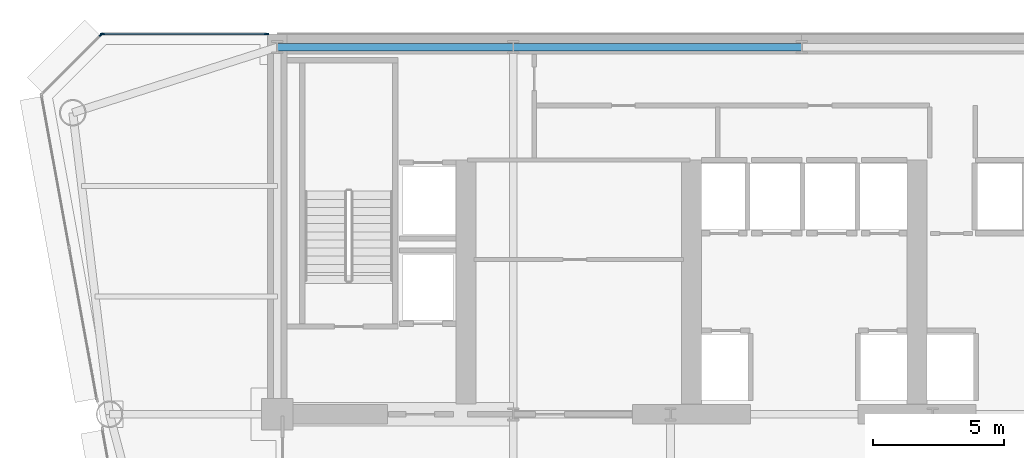
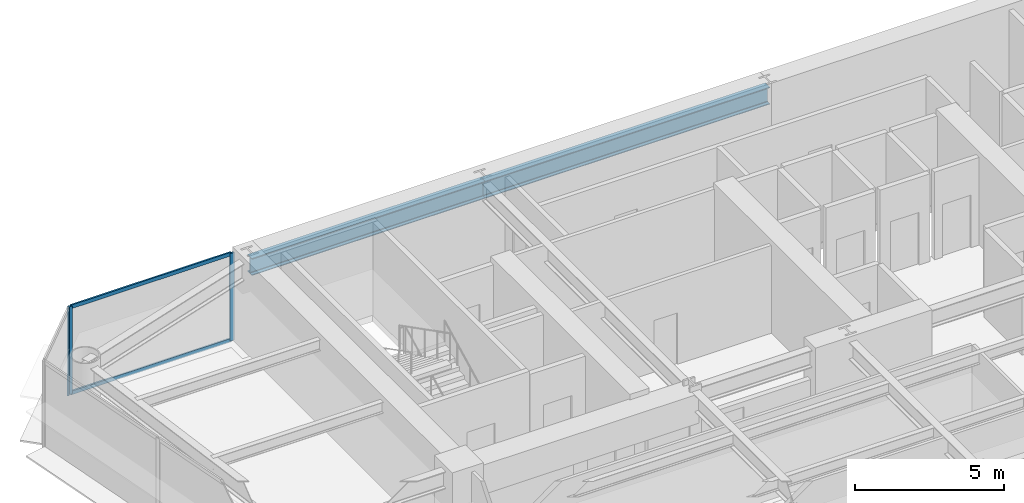
# One storey, part 8 of 17: 5 members, 2 beams, 2 elements without a shape of their own.
"""IFC4 building model written with IfcOpenShell, lengths in metres."""

from ifc_helpers import new_model, si_unit, direction, frame, origin, origin_2d, place, context, subcontext, project, spatial, rectangle, i_section, extrude, source, transform, mapped, material, layer, layer_set, material_profile, profile_set, type_object, element, aggregate, save


model = new_model("IFC4")

# Units and contexts
model_context = context("Model", 3, precision=1e-05, world=origin(), true_north=direction((0.0, 1.0)))
body_context = subcontext(model_context, "Body", "Model", "MODEL_VIEW")
ifc_project = project(units=[si_unit("LENGTHUNIT", "METRE"), si_unit("AREAUNIT", "SQUARE_METRE"), si_unit("VOLUMEUNIT", "CUBIC_METRE"), si_unit("PLANEANGLEUNIT", "RADIAN"), si_unit("MASSUNIT", "GRAM", prefix="KILO")], contexts=[model_context])

# Site, building, storey
site_placement = place(None, origin())
site = spatial("IfcSite", under=ifc_project, at=site_placement, CompositionType="ELEMENT")
building_placement = place(site_placement, origin())
building = spatial("IfcBuilding", under=site, at=building_placement, Name="Vaeldorn Concourse Tower", CompositionType="ELEMENT")
storey_placement = place(building_placement, frame((0.0, 0.0, 153.800048828125)))
storey = spatial("IfcBuildingStorey", under=building, at=storey_placement, Name="L39", CompositionType="ELEMENT", Elevation=153.800048828125)

# Beams
ifc_material_1 = material(Name="Steel S355", Category="steel")
ifc_material_profile_1 = material_profile(ifc_material_1, i_section(OverallWidth=0.300048828125, OverallDepth=0.699951171875, WebThickness=0.01708984375, FlangeThickness=0.031982421875, FilletRadius=0.027099609375, at=origin_2d()), Name="HEB 700")
ifc_profile_set_1 = profile_set([ifc_material_profile_1], Name="Steel S355")
beam_type = type_object("IfcBeamType", Name="BM-PG-HEB700", PredefinedType="BEAM", material=ifc_profile_set_1)
shared_shape_1 = source(origin(), body_context, "Body", "SweptSolid", [
    extrude(i_section(OverallWidth=0.300048828125, OverallDepth=0.699951171875, WebThickness=0.01708984375, FlangeThickness=0.031982421875, FilletRadius=0.027099609375, at=origin_2d()), origin(), (0.0, 0.0, 1.0), 9.0),
])
beam_1_placement = place(storey_placement, frame((14.0, 50.5, 3.22998046875), z_axis=(1.0, 0.0, 0.0), x_axis=(0.0, 1.0, 0.0)))
element("IfcBeam", 1, at=beam_1_placement, inside=storey, type_object=beam_type, Name="Beam BM-L39-C-HC1-C-HC2", PredefinedType="BEAM", context=body_context, shape_type="MappedRepresentation", body=[
    mapped(shared_shape_1, transform((0.0, 0.0, 0.0), scale=1.0)),
])
shared_shape_2 = source(origin(), body_context, "Body", "SweptSolid", [
    extrude(i_section(OverallWidth=0.300048828125, OverallDepth=0.699951171875, WebThickness=0.01708984375, FlangeThickness=0.031982421875, FilletRadius=0.027099609375, at=origin_2d()), origin(), (0.0, 0.0, 1.0), 11.0),
])
beam_2_placement = place(storey_placement, frame((23.0, 50.5, 3.22998046875), z_axis=(1.0, 0.0, 0.0), x_axis=(0.0, 1.0, 0.0)))
element("IfcBeam", 2, at=beam_2_placement, inside=storey, type_object=beam_type, Name="Beam BM-L39-C-HC2-C-HC3", PredefinedType="BEAM", context=body_context, shape_type="MappedRepresentation", body=[
    mapped(shared_shape_2, transform((0.0, 0.0, 0.0), scale=1.0)),
])

# Curtain wall, members
ifc_material_2 = material(Name="Anodised Bronze Aluminium", Category="aluminium")
ifc_layer = layer(ifc_material_2, 0.18994140625)
ifc_layer_set = layer_set([ifc_layer], Name="Anodised Bronze Aluminium")
curtain_wall_type = type_object("IfcCurtainWallType", Name="CW-SYS-03", PredefinedType="NOTDEFINED", material=ifc_layer_set)
curtain_wall_1_placement = place(storey_placement, origin())
curtain_wall_1 = element("IfcCurtainWall", 3, at=curtain_wall_1_placement, inside=storey, type_object=curtain_wall_type, Name="Unitised Curtain Wall CW-L39-E09-2", PredefinedType="NOTDEFINED")
ifc_material_profile_2 = material_profile(ifc_material_2, rectangle(XDim=0.06494140625, YDim=0.169921875, at=origin_2d()), Name="CWM 65x170")
ifc_profile_set_2 = profile_set([ifc_material_profile_2], Name="Anodised Bronze Aluminium")
member_type_1 = type_object("IfcMemberType", Name="CWM-BRONZE-170", PredefinedType="MULLION", material=ifc_profile_set_2)
shared_shape_3 = source(origin(), body_context, "Body", "SweptSolid", [
    extrude(rectangle(XDim=0.06494140625, YDim=0.169921875, at=origin_2d()), origin(), (0.0, 0.0, 1.0), 3.579833984375),
])
member_1_placement = place(storey_placement, frame((13.597412109375, 51.0, 0.0), z_axis=(0.0, 0.0, 1.0), x_axis=(0.0, -1.0, 0.0)))
member_1 = element("IfcMember", 4, at=member_1_placement, type_object=member_type_1, Name="CW-03 mullion 1", PredefinedType="MULLION", context=body_context, shape_type="MappedRepresentation", body=[
    mapped(shared_shape_3, transform((0.0, 0.0, 0.0), scale=1.0)),
])
member_2_placement = place(storey_placement, frame((7.33251953125, 51.0, 0.0), z_axis=(0.0, 0.0, 1.0), x_axis=(0.0, -1.0, 0.0)))
member_2 = element("IfcMember", 5, at=member_2_placement, type_object=member_type_1, Name="CW-03 mullion 2", PredefinedType="MULLION", context=body_context, shape_type="MappedRepresentation", body=[
    mapped(shared_shape_3, transform((0.0, 0.0, 0.0), scale=1.0)),
])

# Curtain wall, member
curtain_wall_2_placement = place(storey_placement, origin())
curtain_wall_2 = element("IfcCurtainWall", 6, at=curtain_wall_2_placement, inside=storey, type_object=curtain_wall_type, Name="Unitised Curtain Wall CW-L39-E10-1", PredefinedType="NOTDEFINED")
member_3_placement = place(storey_placement, frame((7.277099609375, 50.97705078125, 0.0), z_axis=(0.0, 0.0, 1.0), x_axis=(0.707106781187, -0.707106781187, 0.0)))
member_3 = element("IfcMember", 7, at=member_3_placement, type_object=member_type_1, Name="CW-03 mullion 1", PredefinedType="MULLION", context=body_context, shape_type="MappedRepresentation", body=[
    mapped(shared_shape_3, transform((0.0, 0.0, 0.0), scale=1.0)),
])
aggregate(curtain_wall_2, [member_3])

# Member
ifc_material_profile_3 = material_profile(ifc_material_2, rectangle(XDim=0.06494140625, YDim=0.14990234375, at=origin_2d()), Name="CWT 65x150")
ifc_profile_set_3 = profile_set([ifc_material_profile_3], Name="Anodised Bronze Aluminium")
member_type_2 = type_object("IfcMemberType", Name="CWT-BRONZE-150", PredefinedType="USERDEFINED", material=ifc_profile_set_3)
shared_shape_4 = source(origin(), body_context, "Body", "SweptSolid", [
    extrude(rectangle(XDim=0.06494140625, YDim=0.14990234375, at=origin_2d()), origin(), (0.0, 0.0, 1.0), 6.199951171875),
])
member_4_placement = place(storey_placement, frame((13.56494140625, 51.0, 0.032470703125), z_axis=(-1.0, 0.0, 0.0), x_axis=(0.0, -1.0, 0.0)))
member_4 = element("IfcMember", 8, at=member_4_placement, type_object=member_type_2, Name="CW-03 transom 1.1", ObjectType="TRANSOM", PredefinedType="USERDEFINED", context=body_context, shape_type="MappedRepresentation", body=[
    mapped(shared_shape_4, transform((0.0, 0.0, 0.0), scale=1.0)),
])

member_5_placement = place(storey_placement, frame((13.56494140625, 51.0, 3.54736328125), z_axis=(-1.0, 0.0, 0.0), x_axis=(0.0, -1.0, 0.0)))
member_5 = element("IfcMember", 9, at=member_5_placement, type_object=member_type_2, Name="CW-03 transom 1.2", ObjectType="TRANSOM", PredefinedType="USERDEFINED", context=body_context, shape_type="MappedRepresentation", body=[
    mapped(shared_shape_4, transform((0.0, 0.0, 0.0), scale=1.0)),
])

aggregate(curtain_wall_1, [member_1, member_2, member_4, member_5])

save(model, "model.ifc")
